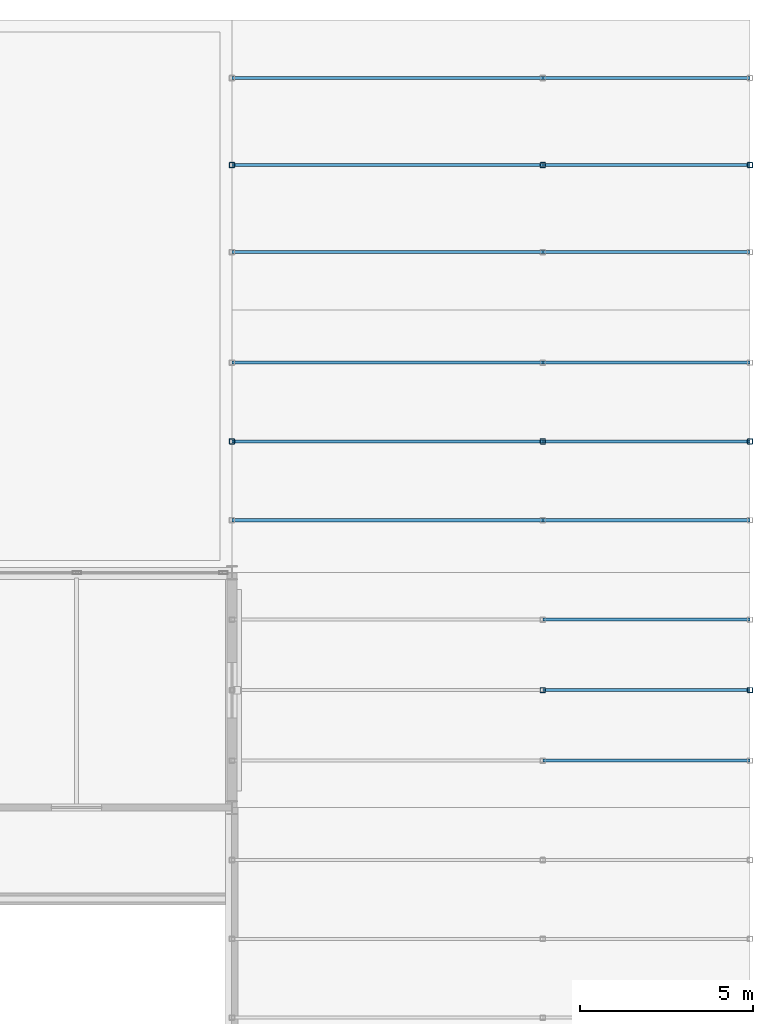
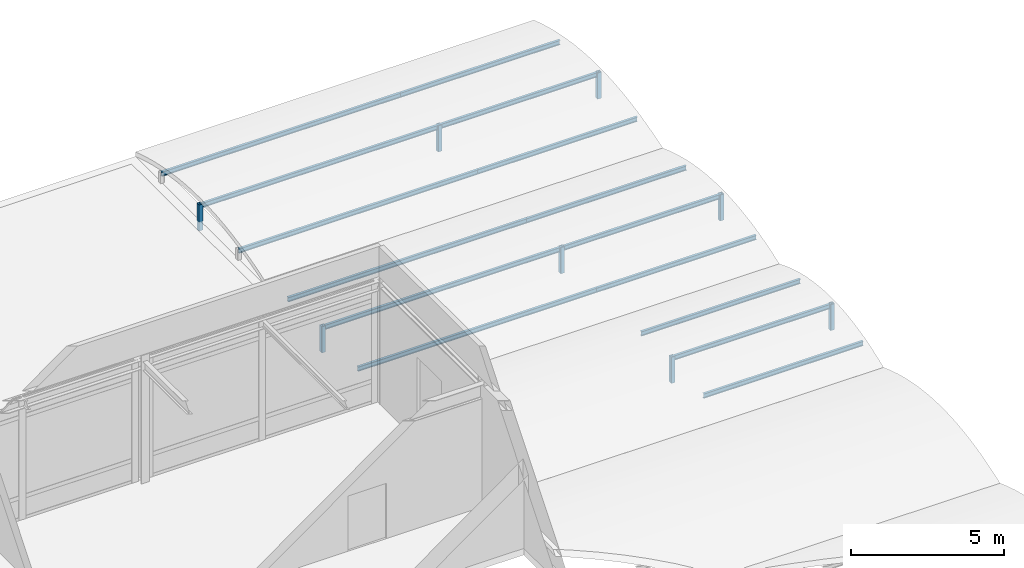
# One storey, part 75 of 113: 23 members.
"""IFC4 building model written with IfcOpenShell, lengths in metres."""

from ifc_helpers import new_model, si_unit, direction, frame, origin, origin_2d, place, context, subcontext, project, spatial, hollow_rectangle, i_section, extrude, material, material_profile, profile_set, type_object, element, save


model = new_model("IFC4")

# Units and contexts
model_context = context("Model", 3, precision=1e-05, world=origin(), true_north=direction((0.0, 1.0)))
body_context = subcontext(model_context, "Body", "Model", "MODEL_VIEW")
ifc_project = project(units=[si_unit("LENGTHUNIT", "METRE"), si_unit("AREAUNIT", "SQUARE_METRE"), si_unit("VOLUMEUNIT", "CUBIC_METRE"), si_unit("PLANEANGLEUNIT", "RADIAN"), si_unit("MASSUNIT", "GRAM", prefix="KILO")], contexts=[model_context])

# Site, building, storey
site_placement = place(None, origin())
site = spatial("IfcSite", under=ifc_project, at=site_placement, CompositionType="ELEMENT")
building_placement = place(site_placement, origin())
building = spatial("IfcBuilding", under=site, at=building_placement, Name="Shalkamar Park Central Library", CompositionType="ELEMENT")
storey_placement = place(building_placement, frame((0.0, 0.0, 5.39990234375)))
storey = spatial("IfcBuildingStorey", under=building, at=storey_placement, Name="L02", CompositionType="ELEMENT", Elevation=5.39990234375)

# Members
ifc_material = material(Name="Steel S355", Category="steel")
ifc_material_profile_1 = material_profile(ifc_material, hollow_rectangle(XDim=0.14990234375, YDim=0.14990234375, WallThickness=0.008056640625, InnerFilletRadius=0.008056640625, OuterFilletRadius=0.011962890625, at=origin_2d()), Name="SHS 150x150x8")
ifc_profile_set_1 = profile_set([ifc_material_profile_1], Name="Steel S355")
member_type_1 = type_object("IfcMemberType", Name="Diagonal Brace SHS150", PredefinedType="BRACE", material=ifc_profile_set_1)
for number, where, z_axis, x_axis, name in (
    (1, (282.0, 334.60009765625, -0.35986328125), (0.0, 0.0, 1.0), (1.0, 0.0, 0.0), "Vault Arch Post BV-L01-E10-21.2"),
    (2, (288.0, 334.60009765625, -0.35986328125), (0.0, 0.0, 1.0), (1.0, 0.0, 0.0), "Vault Arch Post BV-L01-E10-22.2"),
    (3, (273.0, 341.800048828125, -0.35986328125), (0.0, 0.0, 1.0), (1.0, 0.0, 0.0), "Vault Arch Post BV-L01-E11-20.2"),
    (4, (282.0, 341.800048828125, -0.35986328125), (0.0, 0.0, 1.0), (1.0, 0.0, 0.0), "Vault Arch Post BV-L01-E11-21.2"),
    (5, (288.0, 341.800048828125, -0.35986328125), (0.0, 0.0, 1.0), (1.0, 0.0, 0.0), "Vault Arch Post BV-L01-E11-22.2"),
    (6, (273.0, 349.800048828125, -0.35986328125), (0.0, 0.0, 1.0), (1.0, 0.0, 0.0), "Vault Arch Post BV-L01-E12-20.2"),
    (7, (282.0, 349.800048828125, -0.35986328125), (0.0, 0.0, 1.0), (1.0, 0.0, 0.0), "Vault Arch Post BV-L01-E12-21.2"),
    (8, (288.0, 349.800048828125, -0.35986328125), (0.0, 0.0, 1.0), (1.0, 0.0, 0.0), "Vault Arch Post BV-L01-E12-22.2"),
):
    element("IfcMember", number, at=place(storey_placement, frame(where, z_axis=z_axis, x_axis=x_axis)), inside=storey, type_object=member_type_1, Name=name, PredefinedType="BRACE", context=body_context, shape_type="SweptSolid", body=[
        extrude(hollow_rectangle(XDim=0.14990234375, YDim=0.14990234375, WallThickness=0.008056640625, InnerFilletRadius=0.008056640625, OuterFilletRadius=0.011962890625, at=origin_2d()), origin(), (0.0, 0.0, 1.0), 1.0400390625),
    ])
ifc_material_profile_2 = material_profile(ifc_material, i_section(OverallWidth=0.091064453125, OverallDepth=0.179931640625, WebThickness=0.00537109375, FlangeThickness=0.008056640625, FilletRadius=0.009033203125, at=origin_2d()), Name="IPE 180")
ifc_profile_set_2 = profile_set([ifc_material_profile_2], Name="Steel S355")
member_type_2 = type_object("IfcMemberType", Name="Roof Purlin IPE180", PredefinedType="PURLIN", material=ifc_profile_set_2)
for number, where, z_axis, x_axis, name in (
    (9, (282.0, 332.56005859375, 0.330810546875), (1.0, 0.0, 0.0), (0.0, 1.0, 0.0), "Barrel Roof Purlin BV-L01-E10-1.21"),
    (10, (282.0, 334.60009765625, 0.590087890625), (1.0, 0.0, 0.0), (0.0, 1.0, 0.0), "Barrel Roof Purlin BV-L01-E10-2.21"),
    (11, (282.0, 336.639892578125, 0.330810546875), (1.0, 0.0, 0.0), (0.0, 1.0, 0.0), "Barrel Roof Purlin BV-L01-E10-3.21"),
):
    element("IfcMember", number, at=place(storey_placement, frame(where, z_axis=z_axis, x_axis=x_axis)), inside=storey, type_object=member_type_2, Name=name, PredefinedType="PURLIN", context=body_context, shape_type="SweptSolid", body=[
        extrude(i_section(OverallWidth=0.091064453125, OverallDepth=0.179931640625, WebThickness=0.00537109375, FlangeThickness=0.008056640625, FilletRadius=0.009033203125, at=origin_2d()), origin(), (0.0, 0.0, 1.0), 6.0),
    ])
member_1_placement = place(storey_placement, frame((273.0, 339.52001953125, 0.330810546875), z_axis=(1.0, 0.0, 0.0), x_axis=(0.0, 1.0, 0.0)))
element("IfcMember", 12, at=member_1_placement, inside=storey, type_object=member_type_2, Name="Barrel Roof Purlin BV-L01-E11-1.20", PredefinedType="PURLIN", context=body_context, shape_type="SweptSolid", body=[
    extrude(i_section(OverallWidth=0.091064453125, OverallDepth=0.179931640625, WebThickness=0.00537109375, FlangeThickness=0.008056640625, FilletRadius=0.009033203125, at=origin_2d()), origin(), (0.0, 0.0, 1.0), 9.0),
])
member_2_placement = place(storey_placement, frame((282.0, 339.52001953125, 0.330810546875), z_axis=(1.0, 0.0, 0.0), x_axis=(0.0, 1.0, 0.0)))
element("IfcMember", 13, at=member_2_placement, inside=storey, type_object=member_type_2, Name="Barrel Roof Purlin BV-L01-E11-1.21", PredefinedType="PURLIN", context=body_context, shape_type="SweptSolid", body=[
    extrude(i_section(OverallWidth=0.091064453125, OverallDepth=0.179931640625, WebThickness=0.00537109375, FlangeThickness=0.008056640625, FilletRadius=0.009033203125, at=origin_2d()), origin(), (0.0, 0.0, 1.0), 6.0),
])
member_3_placement = place(storey_placement, frame((273.0, 341.800048828125, 0.590087890625), z_axis=(1.0, 0.0, 0.0), x_axis=(0.0, 1.0, 0.0)))
element("IfcMember", 14, at=member_3_placement, inside=storey, type_object=member_type_2, Name="Barrel Roof Purlin BV-L01-E11-2.20", PredefinedType="PURLIN", context=body_context, shape_type="SweptSolid", body=[
    extrude(i_section(OverallWidth=0.091064453125, OverallDepth=0.179931640625, WebThickness=0.00537109375, FlangeThickness=0.008056640625, FilletRadius=0.009033203125, at=origin_2d()), origin(), (0.0, 0.0, 1.0), 9.0),
])
member_4_placement = place(storey_placement, frame((282.0, 341.800048828125, 0.590087890625), z_axis=(1.0, 0.0, 0.0), x_axis=(0.0, 1.0, 0.0)))
element("IfcMember", 15, at=member_4_placement, inside=storey, type_object=member_type_2, Name="Barrel Roof Purlin BV-L01-E11-2.21", PredefinedType="PURLIN", context=body_context, shape_type="SweptSolid", body=[
    extrude(i_section(OverallWidth=0.091064453125, OverallDepth=0.179931640625, WebThickness=0.00537109375, FlangeThickness=0.008056640625, FilletRadius=0.009033203125, at=origin_2d()), origin(), (0.0, 0.0, 1.0), 6.0),
])
member_5_placement = place(storey_placement, frame((273.0, 344.080078125, 0.330810546875), z_axis=(1.0, 0.0, 0.0), x_axis=(0.0, 1.0, 0.0)))
element("IfcMember", 16, at=member_5_placement, inside=storey, type_object=member_type_2, Name="Barrel Roof Purlin BV-L01-E11-3.20", PredefinedType="PURLIN", context=body_context, shape_type="SweptSolid", body=[
    extrude(i_section(OverallWidth=0.091064453125, OverallDepth=0.179931640625, WebThickness=0.00537109375, FlangeThickness=0.008056640625, FilletRadius=0.009033203125, at=origin_2d()), origin(), (0.0, 0.0, 1.0), 9.0),
])
member_6_placement = place(storey_placement, frame((282.0, 344.080078125, 0.330810546875), z_axis=(1.0, 0.0, 0.0), x_axis=(0.0, 1.0, 0.0)))
element("IfcMember", 17, at=member_6_placement, inside=storey, type_object=member_type_2, Name="Barrel Roof Purlin BV-L01-E11-3.21", PredefinedType="PURLIN", context=body_context, shape_type="SweptSolid", body=[
    extrude(i_section(OverallWidth=0.091064453125, OverallDepth=0.179931640625, WebThickness=0.00537109375, FlangeThickness=0.008056640625, FilletRadius=0.009033203125, at=origin_2d()), origin(), (0.0, 0.0, 1.0), 6.0),
])
member_7_placement = place(storey_placement, frame((273.0, 347.280029296875, 0.330810546875), z_axis=(1.0, 0.0, 0.0), x_axis=(0.0, 1.0, 0.0)))
element("IfcMember", 18, at=member_7_placement, inside=storey, type_object=member_type_2, Name="Barrel Roof Purlin BV-L01-E12-1.20", PredefinedType="PURLIN", context=body_context, shape_type="SweptSolid", body=[
    extrude(i_section(OverallWidth=0.091064453125, OverallDepth=0.179931640625, WebThickness=0.00537109375, FlangeThickness=0.008056640625, FilletRadius=0.009033203125, at=origin_2d()), origin(), (0.0, 0.0, 1.0), 9.0),
])
member_8_placement = place(storey_placement, frame((282.0, 347.280029296875, 0.330810546875), z_axis=(1.0, 0.0, 0.0), x_axis=(0.0, 1.0, 0.0)))
element("IfcMember", 19, at=member_8_placement, inside=storey, type_object=member_type_2, Name="Barrel Roof Purlin BV-L01-E12-1.21", PredefinedType="PURLIN", context=body_context, shape_type="SweptSolid", body=[
    extrude(i_section(OverallWidth=0.091064453125, OverallDepth=0.179931640625, WebThickness=0.00537109375, FlangeThickness=0.008056640625, FilletRadius=0.009033203125, at=origin_2d()), origin(), (0.0, 0.0, 1.0), 6.0),
])
member_9_placement = place(storey_placement, frame((273.0, 349.800048828125, 0.590087890625), z_axis=(1.0, 0.0, 0.0), x_axis=(0.0, 1.0, 0.0)))
element("IfcMember", 20, at=member_9_placement, inside=storey, type_object=member_type_2, Name="Barrel Roof Purlin BV-L01-E12-2.20", PredefinedType="PURLIN", context=body_context, shape_type="SweptSolid", body=[
    extrude(i_section(OverallWidth=0.091064453125, OverallDepth=0.179931640625, WebThickness=0.00537109375, FlangeThickness=0.008056640625, FilletRadius=0.009033203125, at=origin_2d()), origin(), (0.0, 0.0, 1.0), 9.0),
])
member_10_placement = place(storey_placement, frame((282.0, 349.800048828125, 0.590087890625), z_axis=(1.0, 0.0, 0.0), x_axis=(0.0, 1.0, 0.0)))
element("IfcMember", 21, at=member_10_placement, inside=storey, type_object=member_type_2, Name="Barrel Roof Purlin BV-L01-E12-2.21", PredefinedType="PURLIN", context=body_context, shape_type="SweptSolid", body=[
    extrude(i_section(OverallWidth=0.091064453125, OverallDepth=0.179931640625, WebThickness=0.00537109375, FlangeThickness=0.008056640625, FilletRadius=0.009033203125, at=origin_2d()), origin(), (0.0, 0.0, 1.0), 6.0),
])
member_11_placement = place(storey_placement, frame((273.0, 352.320068359375, 0.330810546875), z_axis=(1.0, 0.0, 0.0), x_axis=(0.0, 1.0, 0.0)))
element("IfcMember", 22, at=member_11_placement, inside=storey, type_object=member_type_2, Name="Barrel Roof Purlin BV-L01-E12-3.20", PredefinedType="PURLIN", context=body_context, shape_type="SweptSolid", body=[
    extrude(i_section(OverallWidth=0.091064453125, OverallDepth=0.179931640625, WebThickness=0.00537109375, FlangeThickness=0.008056640625, FilletRadius=0.009033203125, at=origin_2d()), origin(), (0.0, 0.0, 1.0), 9.0),
])
member_12_placement = place(storey_placement, frame((282.0, 352.320068359375, 0.330810546875), z_axis=(1.0, 0.0, 0.0), x_axis=(0.0, 1.0, 0.0)))
element("IfcMember", 23, at=member_12_placement, inside=storey, type_object=member_type_2, Name="Barrel Roof Purlin BV-L01-E12-3.21", PredefinedType="PURLIN", context=body_context, shape_type="SweptSolid", body=[
    extrude(i_section(OverallWidth=0.091064453125, OverallDepth=0.179931640625, WebThickness=0.00537109375, FlangeThickness=0.008056640625, FilletRadius=0.009033203125, at=origin_2d()), origin(), (0.0, 0.0, 1.0), 6.0),
])

save(model, "model.ifc")
